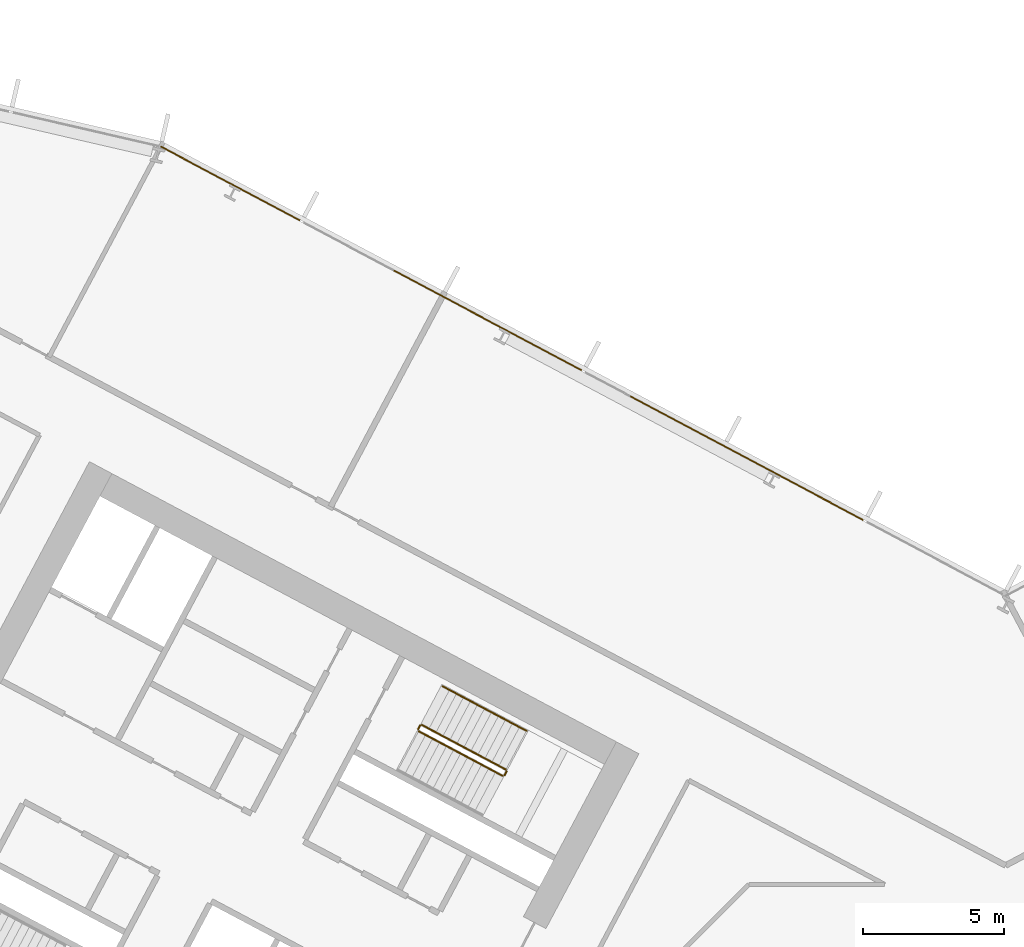
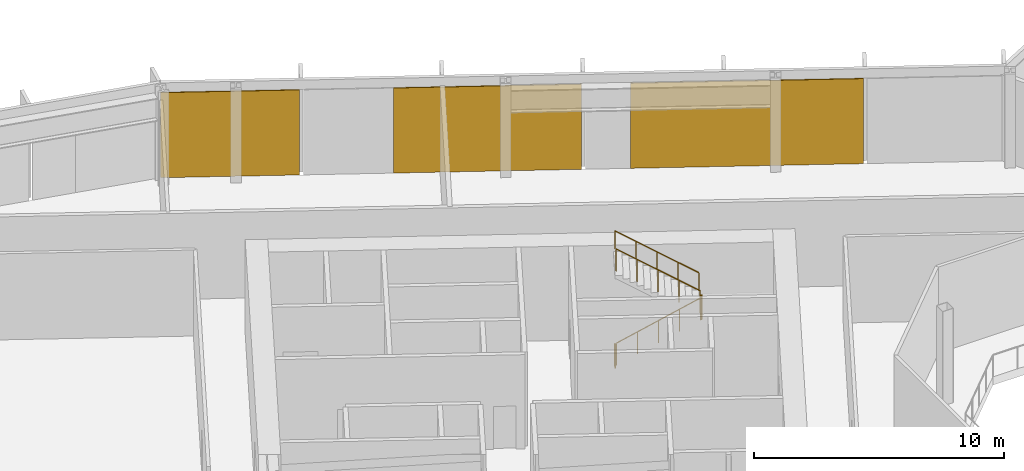
# One storey, part 25 of 31: 5 railings, 3 coverings, 1 element without a shape of its own.
"""IFC4 building model written with IfcOpenShell, lengths in metres."""

from ifc_helpers import new_model, si_unit, direction, frame, origin, origin_2d, place, context, subcontext, project, spatial, polyline, rectangle, outline, extrude, material, layer, layer_set, type_object, element, aggregate, save


model = new_model("IFC4")

# Units and contexts
model_context = context("Model", 3, precision=1e-05, world=origin(), true_north=direction((0.0, 1.0)))
body_context = subcontext(model_context, "Body", "Model", "MODEL_VIEW")
ifc_project = project(units=[si_unit("LENGTHUNIT", "METRE"), si_unit("AREAUNIT", "SQUARE_METRE"), si_unit("VOLUMEUNIT", "CUBIC_METRE"), si_unit("PLANEANGLEUNIT", "RADIAN"), si_unit("MASSUNIT", "GRAM", prefix="KILO")], contexts=[model_context])

# Site, building, storey
site_placement = place(None, origin())
site = spatial("IfcSite", under=ifc_project, at=site_placement, CompositionType="ELEMENT")
building_placement = place(site_placement, origin())
building = spatial("IfcBuilding", under=site, at=building_placement, Name="Cormorant Relay Tower", CompositionType="ELEMENT")
storey_placement = place(building_placement, frame((0.0, 0.0, 103.0)))
storey = spatial("IfcBuildingStorey", under=building, at=storey_placement, Name="L20", CompositionType="ELEMENT", Elevation=103.0)

# Curtain wall, coverings
ifc_material_1 = material(Name="Aluminium 6063-T6 anodised bronze", Category="aluminium")
ifc_layer_1 = layer(ifc_material_1, 0.199951171875)
ifc_layer_set_1 = layer_set([ifc_layer_1], Name="CW1 unitised bronze curtain wall with vertical fins")
curtain_wall_type = type_object("IfcCurtainWallType", Name="CW1 unitised bronze curtain wall with vertical fins", PredefinedType="NOTDEFINED", material=ifc_layer_set_1)
curtain_wall_placement = place(storey_placement, origin())
curtain_wall = element("IfcCurtainWall", 1, at=curtain_wall_placement, inside=storey, type_object=curtain_wall_type, Name="CW1 curtain wall 7", PredefinedType="NOTDEFINED")
ifc_material_2 = material(Name="Pale bronze anodised aluminium insulated panel", Category="aluminium")
ifc_layer_2 = layer(ifc_material_2, 0.0400390625)
ifc_layer_set_2 = layer_set([ifc_layer_2], Name="CW1 pale bronze insulated panel 40")
covering_type = type_object("IfcCoveringType", Name="CW1 pale bronze insulated panel 40", PredefinedType="CLADDING", material=ifc_layer_set_2)
covering_1_placement = place(storey_placement, frame((-9.15380859375, 28.673828125, 0.0), z_axis=(0.0, 0.0, 1.0), x_axis=(-0.882947592859, 0.469471562786, 0.0)))
covering_1 = element("IfcCovering", 2, at=covering_1_placement, type_object=covering_type, Name="CW1 panel S01", PredefinedType="CLADDING", context=body_context, shape_type="SweptSolid", body=[
    extrude(rectangle(XDim=9.327880859375, YDim=0.0400390625, at=origin_2d()), origin(), (0.0, 0.0, 1.0), 4.14990234375),
])
covering_2_placement = place(storey_placement, frame((-18.317138671875, 33.5458984375, 0.0), z_axis=(0.0, 0.0, 1.0), x_axis=(-0.882947592859, 0.469471562786, 0.0)))
covering_2 = element("IfcCovering", 3, at=covering_2_placement, type_object=covering_type, Name="CW1 panel S03", PredefinedType="CLADDING", context=body_context, shape_type="SweptSolid", body=[
    extrude(rectangle(XDim=7.528076171875, YDim=0.0400390625, at=origin_2d()), origin(), (0.0, 0.0, 1.0), 4.14990234375),
])
covering_3_placement = place(storey_placement, frame((-27.407958984375, 38.379638671875, 0.0), z_axis=(0.0, 0.0, 1.0), x_axis=(-0.882947592859, 0.469471562786, 0.0)))
covering_3 = element("IfcCovering", 4, at=covering_3_placement, type_object=covering_type, Name="CW1 panel S05", PredefinedType="CLADDING", context=body_context, shape_type="SweptSolid", body=[
    extrude(rectangle(XDim=5.56396484375, YDim=0.0400390625, at=origin_2d()), origin(), (0.0, 0.0, 1.0), 4.14990234375),
])
aggregate(curtain_wall, [covering_1, covering_2, covering_3])

# Railings
ifc_material_3 = material(Name="Steel ASTM A572 Grade 50 (Fy 345 MPa)", Category="steel")
railing_type_1 = type_object("IfcRailingType", Name="Stair guard 1100", PredefinedType="GUARDRAIL", material=ifc_material_3)
railing_1_placement = place(storey_placement, frame((-20.75048828125, 19.017822265625, 0.177001953125)))
element("IfcRailing", 5, at=railing_1_placement, inside=storey, type_object=railing_type_1, Name="L20 A1 stair guard 1", PredefinedType="GUARDRAIL", context=body_context, shape_type="SweptSolid", body=[
    extrude(outline(polyline([(0.022216796875, 0.00927734375), (0.00927734375, 0.022216796875), (-0.00927734375, 0.022216796875), (-0.022216796875, 0.00927734375), (-0.022216796875, -0.00927734375), (-0.00927734375, -0.022216796875), (0.00927734375, -0.022216796875), (0.022216796875, -0.00927734375), (0.022216796875, 0.00927734375)])), frame((0.0, 0.0, 1.076171875), z_axis=(0.746413465702, -0.396887285154, 0.534179203172), x_axis=(0.469482818608, 0.88294160794, 0.0)), (0.0, 0.0, 1.0), 3.974365234375),
    extrude(outline(polyline([(0.019287109375, 0.008056640625), (0.008056640625, 0.019287109375), (-0.008056640625, 0.019287109375), (-0.019287109375, 0.008056640625), (-0.019287109375, -0.008056640625), (-0.008056640625, -0.019287109375), (0.008056640625, -0.019287109375), (0.019287109375, -0.008056640625), (0.019287109375, 0.008056640625)])), origin(), (0.0, 0.0, 1.0), 1.052001953125),
    extrude(outline(polyline([(0.019287109375, 0.008056640625), (0.008056640625, 0.019287109375), (-0.008056640625, 0.019287109375), (-0.019287109375, 0.008056640625), (-0.019287109375, -0.008056640625), (-0.008056640625, -0.019287109375), (0.008056640625, -0.019287109375), (0.019287109375, -0.008056640625), (0.019287109375, 0.008056640625)])), frame((0.74169921875, -0.394287109375, 0.53076171875)), (0.0, 0.0, 1.0), 1.052001953125),
    extrude(outline(polyline([(0.019287109375, 0.008056640625), (0.008056640625, 0.019287109375), (-0.008056640625, 0.019287109375), (-0.019287109375, 0.008056640625), (-0.019287109375, -0.008056640625), (-0.008056640625, -0.019287109375), (0.008056640625, -0.019287109375), (0.019287109375, -0.008056640625), (0.019287109375, 0.008056640625)])), frame((1.4833984375, -0.78857421875, 1.0615234375)), (0.0, 0.0, 1.0), 1.052001953125),
    extrude(outline(polyline([(0.019287109375, 0.008056640625), (0.008056640625, 0.019287109375), (-0.008056640625, 0.019287109375), (-0.019287109375, 0.008056640625), (-0.019287109375, -0.008056640625), (-0.008056640625, -0.019287109375), (0.008056640625, -0.019287109375), (0.019287109375, -0.008056640625), (0.019287109375, 0.008056640625)])), frame((2.224853515625, -1.18310546875, 1.59228515625)), (0.0, 0.0, 1.0), 1.052001953125),
    extrude(outline(polyline([(0.019287109375, 0.008056640625), (0.008056640625, 0.019287109375), (-0.008056640625, 0.019287109375), (-0.019287109375, 0.008056640625), (-0.019287109375, -0.008056640625), (-0.008056640625, -0.019287109375), (0.008056640625, -0.019287109375), (0.019287109375, -0.008056640625), (0.019287109375, 0.008056640625)])), frame((2.966552734375, -1.577392578125, 2.123046875)), (0.0, 0.0, 1.0), 1.052001953125),
])
railing_2_placement = place(storey_placement, frame((-17.71630859375, 17.461181640625, 2.300048828125)))
element("IfcRailing", 6, at=railing_2_placement, inside=storey, type_object=railing_type_1, Name="L20 A1 stair guard 2", PredefinedType="GUARDRAIL", context=body_context, shape_type="SweptSolid", body=[
    extrude(outline(polyline([(0.022216796875, 0.00927734375), (0.00927734375, 0.022216796875), (-0.00927734375, 0.022216796875), (-0.022216796875, 0.00927734375), (-0.022216796875, -0.00927734375), (-0.00927734375, -0.022216796875), (0.00927734375, -0.022216796875), (0.022216796875, -0.00927734375), (0.022216796875, 0.00927734375)])), frame((0.0, 0.0, 1.076171875), z_axis=(0.470503732759, 0.882398003998, 0.0), x_axis=(-0.882398003998, 0.470503732759, 0.0)), (0.0, 0.0, 1.0), 0.14990234375),
    extrude(outline(polyline([(0.019287109375, 0.008056640625), (0.008056640625, 0.019287109375), (-0.008056640625, 0.019287109375), (-0.019287109375, 0.008056640625), (-0.019287109375, -0.008056640625), (-0.008056640625, -0.019287109375), (0.008056640625, -0.019287109375), (0.019287109375, -0.008056640625), (0.019287109375, 0.008056640625)])), origin(), (0.0, 0.0, 1.0), 1.052001953125),
    extrude(outline(polyline([(0.019287109375, 0.008056640625), (0.008056640625, 0.019287109375), (-0.008056640625, 0.019287109375), (-0.019287109375, 0.008056640625), (-0.019287109375, -0.008056640625), (-0.008056640625, -0.019287109375), (0.008056640625, -0.019287109375), (0.019287109375, -0.008056640625), (0.019287109375, 0.008056640625)])), frame((0.070556640625, 0.13232421875, 0.0)), (0.0, 0.0, 1.0), 1.052001953125),
])
railing_3_placement = place(storey_placement, frame((-17.66650390625, 17.6611328125, 2.476806640625)))
element("IfcRailing", 7, at=railing_3_placement, inside=storey, type_object=railing_type_1, Name="L20 A1 stair guard 3", PredefinedType="GUARDRAIL", context=body_context, shape_type="SweptSolid", body=[
    extrude(outline(polyline([(0.022216796875, 0.00927734375), (0.00927734375, 0.022216796875), (-0.00927734375, 0.022216796875), (-0.022216796875, 0.00927734375), (-0.022216796875, -0.00927734375), (-0.00927734375, -0.022216796875), (0.00927734375, -0.022216796875), (0.022216796875, -0.00927734375), (0.022216796875, 0.00927734375)])), frame((0.0, 0.0, 1.076171875), z_axis=(-0.746416176936, 0.396856066424, 0.534198608526), x_axis=(-0.46945269911, -0.882957622595, 0.0)), (0.0, 0.0, 1.0), 3.974609375),
    extrude(outline(polyline([(0.019287109375, 0.008056640625), (0.008056640625, 0.019287109375), (-0.008056640625, 0.019287109375), (-0.019287109375, 0.008056640625), (-0.019287109375, -0.008056640625), (-0.008056640625, -0.019287109375), (0.008056640625, -0.019287109375), (0.019287109375, -0.008056640625), (0.019287109375, 0.008056640625)])), origin(), (0.0, 0.0, 1.0), 1.052001953125),
    extrude(outline(polyline([(0.019287109375, 0.008056640625), (0.008056640625, 0.019287109375), (-0.008056640625, 0.019287109375), (-0.019287109375, 0.008056640625), (-0.019287109375, -0.008056640625), (-0.008056640625, -0.019287109375), (0.008056640625, -0.019287109375), (0.019287109375, -0.008056640625), (0.019287109375, 0.008056640625)])), frame((-0.74169921875, 0.394287109375, 0.53076171875)), (0.0, 0.0, 1.0), 1.052001953125),
    extrude(outline(polyline([(0.019287109375, 0.008056640625), (0.008056640625, 0.019287109375), (-0.008056640625, 0.019287109375), (-0.019287109375, 0.008056640625), (-0.019287109375, -0.008056640625), (-0.008056640625, -0.019287109375), (0.008056640625, -0.019287109375), (0.019287109375, -0.008056640625), (0.019287109375, 0.008056640625)])), frame((-1.4833984375, 0.78857421875, 1.0615234375)), (0.0, 0.0, 1.0), 1.052001953125),
    extrude(outline(polyline([(0.019287109375, 0.008056640625), (0.008056640625, 0.019287109375), (-0.008056640625, 0.019287109375), (-0.019287109375, 0.008056640625), (-0.019287109375, -0.008056640625), (-0.008056640625, -0.019287109375), (0.008056640625, -0.019287109375), (0.019287109375, -0.008056640625), (0.019287109375, 0.008056640625)])), frame((-2.22509765625, 1.18310546875, 1.592529296875)), (0.0, 0.0, 1.0), 1.052001953125),
    extrude(outline(polyline([(0.019287109375, 0.008056640625), (0.008056640625, 0.019287109375), (-0.008056640625, 0.019287109375), (-0.019287109375, 0.008056640625), (-0.019287109375, -0.008056640625), (-0.008056640625, -0.019287109375), (0.008056640625, -0.019287109375), (0.019287109375, -0.008056640625), (0.019287109375, 0.008056640625)])), frame((-2.966796875, 1.577392578125, 2.123291015625)), (0.0, 0.0, 1.0), 1.052001953125),
])
railing_4_placement = place(storey_placement, frame((-20.771240234375, 19.08544921875, 0.0)))
element("IfcRailing", 8, at=railing_4_placement, inside=storey, type_object=railing_type_1, Name="L20 A1 stair guard 4", PredefinedType="GUARDRAIL", context=body_context, shape_type="SweptSolid", body=[
    extrude(outline(polyline([(0.022216796875, 0.00927734375), (0.00927734375, 0.022216796875), (-0.00927734375, 0.022216796875), (-0.022216796875, 0.00927734375), (-0.022216796875, -0.00927734375), (-0.00927734375, -0.022216796875), (0.00927734375, -0.022216796875), (0.022216796875, -0.00927734375), (0.022216796875, 0.00927734375)])), frame((0.0, 0.0, 1.076171875), z_axis=(0.469828648786, 0.882757634224, 0.0), x_axis=(-0.882757634224, 0.469828648786, 0.0)), (0.0, 0.0, 1.0), 0.150146484375),
    extrude(outline(polyline([(0.019287109375, 0.008056640625), (0.008056640625, 0.019287109375), (-0.008056640625, 0.019287109375), (-0.019287109375, 0.008056640625), (-0.019287109375, -0.008056640625), (-0.008056640625, -0.019287109375), (0.008056640625, -0.019287109375), (0.019287109375, -0.008056640625), (0.019287109375, 0.008056640625)])), origin(), (0.0, 0.0, 1.0), 1.052001953125),
    extrude(outline(polyline([(0.019287109375, 0.008056640625), (0.008056640625, 0.019287109375), (-0.008056640625, 0.019287109375), (-0.019287109375, 0.008056640625), (-0.019287109375, -0.008056640625), (-0.008056640625, -0.019287109375), (0.008056640625, -0.019287109375), (0.019287109375, -0.008056640625), (0.019287109375, 0.008056640625)])), frame((0.070556640625, 0.132568359375, 0.0)), (0.0, 0.0, 1.0), 1.052001953125),
])
ifc_material_4 = material(Name="Steel ASTM A572 Grade 50 (Fy 345 MPa)", Category="steel")
railing_type_2 = type_object("IfcRailingType", Name="Stair handrail 900", PredefinedType="HANDRAIL", material=ifc_material_4)
railing_5_placement = place(storey_placement, frame((-16.938720703125, 19.02978515625, 2.476806640625)))
element("IfcRailing", 9, at=railing_5_placement, inside=storey, type_object=railing_type_2, Name="L20 A1 stair handrail 2", PredefinedType="HANDRAIL", context=body_context, shape_type="SweptSolid", body=[
    extrude(outline(polyline([(0.022216796875, 0.00927734375), (0.00927734375, 0.022216796875), (-0.00927734375, 0.022216796875), (-0.022216796875, 0.00927734375), (-0.022216796875, -0.00927734375), (-0.00927734375, -0.022216796875), (0.00927734375, -0.022216796875), (0.022216796875, -0.00927734375), (0.022216796875, 0.00927734375)])), frame((0.0, 0.0, 0.8759765625), z_axis=(-0.746416176936, 0.396856066424, 0.534198608526), x_axis=(-0.46945269911, -0.882957622595, 0.0)), (0.0, 0.0, 1.0), 3.974609375),
    extrude(outline(polyline([(0.019287109375, 0.008056640625), (0.008056640625, 0.019287109375), (-0.008056640625, 0.019287109375), (-0.019287109375, 0.008056640625), (-0.019287109375, -0.008056640625), (-0.008056640625, -0.019287109375), (0.008056640625, -0.019287109375), (0.019287109375, -0.008056640625), (0.019287109375, 0.008056640625)])), origin(), (0.0, 0.0, 1.0), 0.851806640625),
    extrude(outline(polyline([(0.019287109375, 0.008056640625), (0.008056640625, 0.019287109375), (-0.008056640625, 0.019287109375), (-0.019287109375, 0.008056640625), (-0.019287109375, -0.008056640625), (-0.008056640625, -0.019287109375), (0.008056640625, -0.019287109375), (0.019287109375, -0.008056640625), (0.019287109375, 0.008056640625)])), frame((-0.74169921875, 0.394287109375, 0.53076171875)), (0.0, 0.0, 1.0), 0.851806640625),
    extrude(outline(polyline([(0.019287109375, 0.008056640625), (0.008056640625, 0.019287109375), (-0.008056640625, 0.019287109375), (-0.019287109375, 0.008056640625), (-0.019287109375, -0.008056640625), (-0.008056640625, -0.019287109375), (0.008056640625, -0.019287109375), (0.019287109375, -0.008056640625), (0.019287109375, 0.008056640625)])), frame((-1.4833984375, 0.78857421875, 1.0615234375)), (0.0, 0.0, 1.0), 0.851806640625),
    extrude(outline(polyline([(0.019287109375, 0.008056640625), (0.008056640625, 0.019287109375), (-0.008056640625, 0.019287109375), (-0.019287109375, 0.008056640625), (-0.019287109375, -0.008056640625), (-0.008056640625, -0.019287109375), (0.008056640625, -0.019287109375), (0.019287109375, -0.008056640625), (0.019287109375, 0.008056640625)])), frame((-2.22509765625, 1.18310546875, 1.592529296875)), (0.0, 0.0, 1.0), 0.851806640625),
    extrude(outline(polyline([(0.019287109375, 0.008056640625), (0.008056640625, 0.019287109375), (-0.008056640625, 0.019287109375), (-0.019287109375, 0.008056640625), (-0.019287109375, -0.008056640625), (-0.008056640625, -0.019287109375), (0.008056640625, -0.019287109375), (0.019287109375, -0.008056640625), (0.019287109375, 0.008056640625)])), frame((-2.966796875, 1.577392578125, 2.123291015625)), (0.0, 0.0, 1.0), 0.851806640625),
])

save(model, "model.ifc")
